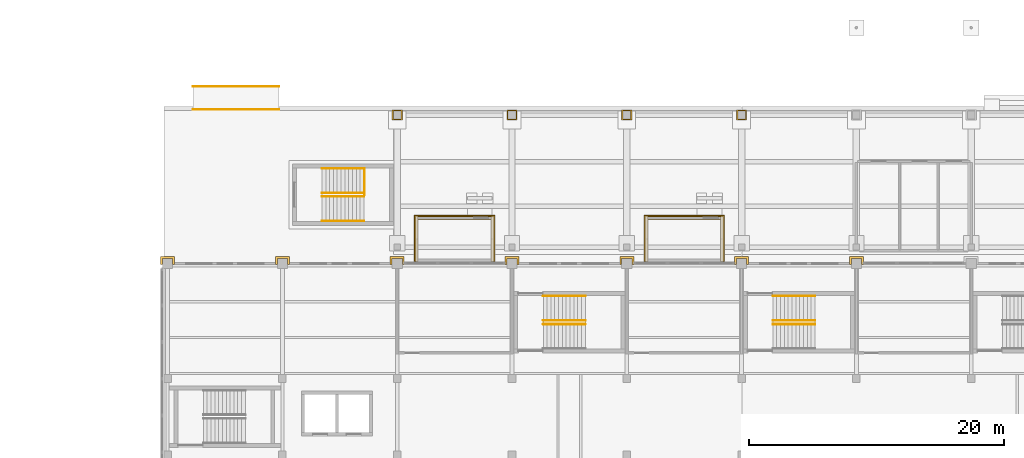
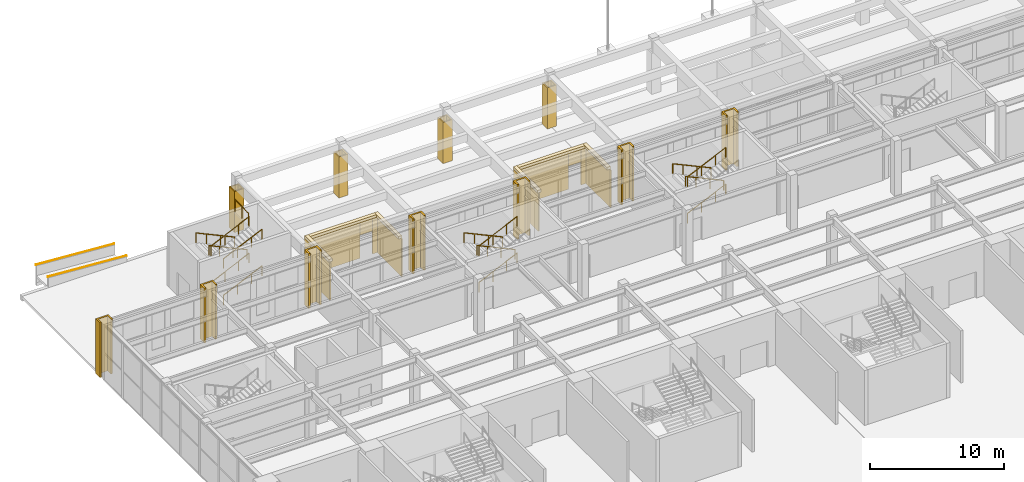
# One storey, part 71 of 77: 27 coverings, 17 railings.
"""IFC4 building model written with IfcOpenShell, lengths in metres."""

from ifc_helpers import new_model, si_unit, direction, frame, origin, origin_2d, place, context, subcontext, project, spatial, polyline, circle, outline, extrude, material, layer, layer_set, type_object, element, save


model = new_model("IFC4")

# Units and contexts
model_context = context("Model", 3, precision=1e-05, world=origin(), true_north=direction((0.0, 1.0)))
body_context = subcontext(model_context, "Body", "Model", "MODEL_VIEW")
ifc_project = project(units=[si_unit("LENGTHUNIT", "METRE"), si_unit("AREAUNIT", "SQUARE_METRE"), si_unit("VOLUMEUNIT", "CUBIC_METRE"), si_unit("PLANEANGLEUNIT", "RADIAN"), si_unit("MASSUNIT", "GRAM", prefix="KILO")], contexts=[model_context])

# Site, building, storey
site_placement = place(None, origin())
site = spatial("IfcSite", under=ifc_project, at=site_placement, CompositionType="ELEMENT")
building_placement = place(site_placement, origin())
building = spatial("IfcBuilding", under=site, at=building_placement, Name="Aravalli Gate Trade Fair Centre", CompositionType="ELEMENT")
storey_placement = place(building_placement, origin())
storey = spatial("IfcBuildingStorey", under=building, at=storey_placement, Name="L00", CompositionType="ELEMENT", Elevation=0.0)

# Coverings
ifc_material_1 = material(Name="Glazed terracotta", Category="masonry")
ifc_layer_1 = layer(ifc_material_1, 0.10009765625)
ifc_layer_set_1 = layer_set([ifc_layer_1], Name="Glazed terracotta")
covering_type_1 = type_object("IfcCoveringType", Name="Arcade pier casing 100", PredefinedType="CLADDING", material=ifc_layer_set_1)
covering_1_placement = place(storey_placement, origin())
element("IfcCovering", 1, at=covering_1_placement, inside=storey, type_object=covering_type_1, Name="Arcade pier casing 03 L00", PredefinedType="CLADDING", context=body_context, shape_type="SweptSolid", body=[
    extrude(outline(polyline([(23.60009765625, 144.25), (24.39990234375, 144.25), (24.39990234375, 145.050048828125), (23.60009765625, 145.050048828125), (23.60009765625, 144.25)]), holes=[polyline([(24.300048828125, 144.949951171875), (24.300048828125, 144.35009765625), (23.699951171875, 144.35009765625), (23.699951171875, 144.949951171875), (24.300048828125, 144.949951171875)])]), origin(), (0.0, 0.0, 1.0), 3.75),
])
covering_2_placement = place(storey_placement, origin())
element("IfcCovering", 2, at=covering_2_placement, inside=storey, type_object=covering_type_1, Name="Arcade pier casing 04 L00", PredefinedType="CLADDING", context=body_context, shape_type="SweptSolid", body=[
    extrude(outline(polyline([(32.60009765625, 144.25), (33.39990234375, 144.25), (33.39990234375, 145.050048828125), (32.60009765625, 145.050048828125), (32.60009765625, 144.25)]), holes=[polyline([(33.300048828125, 144.949951171875), (33.300048828125, 144.35009765625), (32.699951171875, 144.35009765625), (32.699951171875, 144.949951171875), (33.300048828125, 144.949951171875)])]), origin(), (0.0, 0.0, 1.0), 3.75),
])
covering_3_placement = place(storey_placement, origin())
element("IfcCovering", 3, at=covering_3_placement, inside=storey, type_object=covering_type_1, Name="Arcade pier casing 05 L00", PredefinedType="CLADDING", context=body_context, shape_type="SweptSolid", body=[
    extrude(outline(polyline([(41.60009765625, 144.25), (42.39990234375, 144.25), (42.39990234375, 145.050048828125), (41.60009765625, 145.050048828125), (41.60009765625, 144.25)]), holes=[polyline([(42.300048828125, 144.949951171875), (42.300048828125, 144.35009765625), (41.699951171875, 144.35009765625), (41.699951171875, 144.949951171875), (42.300048828125, 144.949951171875)])]), origin(), (0.0, 0.0, 1.0), 3.75),
])
covering_4_placement = place(storey_placement, origin())
element("IfcCovering", 4, at=covering_4_placement, inside=storey, type_object=covering_type_1, Name="Arcade pier casing 06 L00", PredefinedType="CLADDING", context=body_context, shape_type="SweptSolid", body=[
    extrude(outline(polyline([(50.60009765625, 144.25), (51.39990234375, 144.25), (51.39990234375, 145.050048828125), (50.60009765625, 145.050048828125), (50.60009765625, 144.25)]), holes=[polyline([(51.300048828125, 144.949951171875), (51.300048828125, 144.35009765625), (50.699951171875, 144.35009765625), (50.699951171875, 144.949951171875), (51.300048828125, 144.949951171875)])]), origin(), (0.0, 0.0, 1.0), 3.75),
])

# Railings
ifc_material_2 = material(Name="Steel E350", Category="steel")
railing_type_1 = type_object("IfcRailingType", Name="Concourse guard 1100", PredefinedType="GUARDRAIL", material=ifc_material_2)
railing_1_placement = place(storey_placement, frame((21.449951171875, 138.39990234375, 5.0)))
element("IfcRailing", 5, at=railing_1_placement, inside=storey, type_object=railing_type_1, Name="Guard AS L00 landing edge", PredefinedType="GUARDRAIL", context=body_context, shape_type="SweptSolid", body=[
    extrude(circle(Radius=0.02392578125, at=origin_2d()), frame((0.0, 0.0, 1.076171875), z_axis=(0.0, 1.0, 0.0), x_axis=(-1.0, 0.0, 0.0)), (0.0, 0.0, 1.0), 2.050048828125),
    extrude(circle(Radius=0.02099609375, at=origin_2d()), origin(), (0.0, 0.0, 1.0), 1.052001953125),
    extrude(circle(Radius=0.02099609375, at=origin_2d()), frame((0.0, 1.02490234375, 0.0)), (0.0, 0.0, 1.0), 1.052001953125),
    extrude(circle(Radius=0.02099609375, at=origin_2d()), frame((0.0, 2.050048828125, 0.0)), (0.0, 0.0, 1.0), 1.052001953125),
])
railing_type_2 = type_object("IfcRailingType", Name="Concourse plaza ramp handrail 900", PredefinedType="HANDRAIL", material=ifc_material_2)
for number, where, name in (
    (6, (8.0, 145.10009765625, 0.89990234375), "Plaza ramp 1 handrail a"),
    (7, (8.0, 146.89990234375, 0.89990234375), "Plaza ramp 1 handrail b"),
):
    element("IfcRailing", number, at=place(storey_placement, frame(where)), inside=storey, type_object=railing_type_2, Name=name, PredefinedType="HANDRAIL", context=body_context, shape_type="SweptSolid", body=[
        extrude(circle(Radius=0.02001953125, at=origin_2d()), frame((0.0, 0.0, 0.0400390625), z_axis=(0.997785636887, 0.0, -0.066511824681), x_axis=(0.0, 1.0, 0.0)), (0.0, 0.0, 1.0), 6.764892578125),
        extrude(circle(Radius=0.02099609375, at=origin_2d()), origin(), (0.0, 0.0, 1.0), 0.02001953125),
        extrude(circle(Radius=0.02099609375, at=origin_2d()), frame((6.75, 0.0, -0.449951171875)), (0.0, 0.0, 1.0), 0.02001953125),
    ])
railing_type_3 = type_object("IfcRailingType", Name="Concourse stair handrail 900", PredefinedType="HANDRAIL", material=ifc_material_2)
railing_2_placement = place(storey_placement, frame((35.449951171875, 128.25, 0.138916015625)))
element("IfcRailing", 8, at=railing_2_placement, inside=storey, type_object=railing_type_3, Name="Handrail XA L00 flight 1i", PredefinedType="HANDRAIL", context=body_context, shape_type="SweptSolid", body=[
    extrude(circle(Radius=0.02392578125, at=origin_2d()), frame((0.0, 0.0, 0.8759765625), z_axis=(0.907499493834, 0.0, 0.420053173647), x_axis=(0.0, 1.0, 0.0)), (0.0, 0.0, 1.0), 1.322265625),
    extrude(circle(Radius=0.02392578125, at=origin_2d()), frame((1.199951171875, 0.0, 1.43115234375), z_axis=(0.907461694017, 0.0, 0.420134828231), x_axis=(0.0, 1.0, 0.0)), (0.0, 0.0, 1.0), 1.322509765625),
    extrude(circle(Radius=0.02392578125, at=origin_2d()), frame((2.400146484375, 0.0, 1.98681640625), z_axis=(0.907418235185, 0.0, 0.420228683522), x_axis=(0.0, 1.0, 0.0)), (0.0, 0.0, 1.0), 0.99169921875),
    extrude(circle(Radius=0.02099609375, at=origin_2d()), origin(), (0.0, 0.0, 1.0), 0.851806640625),
    extrude(circle(Radius=0.02099609375, at=origin_2d()), frame((1.199951171875, 0.0, 0.555419921875)), (0.0, 0.0, 1.0), 0.851806640625),
    extrude(circle(Radius=0.02099609375, at=origin_2d()), frame((2.400146484375, 0.0, 1.111083984375)), (0.0, 0.0, 1.0), 0.851806640625),
    extrude(circle(Radius=0.02099609375, at=origin_2d()), frame((3.300048828125, 0.0, 1.52783203125)), (0.0, 0.0, 1.0), 0.851806640625),
])
for number, where, name in (
    (9, (38.75, 130.449951171875, 1.8056640625), "Handrail XA L00 flight 2o"),
    (10, (38.75, 128.550048828125, 1.8056640625), "Handrail XA L00 flight 2i"),
):
    element("IfcRailing", number, at=place(storey_placement, frame(where)), inside=storey, type_object=railing_type_3, Name=name, PredefinedType="HANDRAIL", context=body_context, shape_type="SweptSolid", body=[
        extrude(circle(Radius=0.02392578125, at=origin_2d()), frame((0.0, 0.0, 0.8759765625), z_axis=(-0.907499493834, 0.0, 0.420053173647), x_axis=(0.0, -1.0, 0.0)), (0.0, 0.0, 1.0), 1.322265625),
        extrude(circle(Radius=0.02392578125, at=origin_2d()), frame((-1.199951171875, 0.0, 1.43115234375), z_axis=(-0.907429102623, 0.0, 0.420205216189), x_axis=(0.0, -1.0, 0.0)), (0.0, 0.0, 1.0), 1.322265625),
        extrude(circle(Radius=0.02392578125, at=origin_2d()), frame((-2.39990234375, 0.0, 1.98681640625), z_axis=(-0.907555517655, 0.0, 0.419932116387), x_axis=(0.0, -1.0, 0.0)), (0.0, 0.0, 1.0), 0.991943359375),
        extrude(circle(Radius=0.02099609375, at=origin_2d()), origin(), (0.0, 0.0, 1.0), 0.851806640625),
        extrude(circle(Radius=0.02099609375, at=origin_2d()), frame((-1.199951171875, 0.0, 0.555419921875)), (0.0, 0.0, 1.0), 0.851806640625),
        extrude(circle(Radius=0.02099609375, at=origin_2d()), frame((-2.39990234375, 0.0, 1.111083984375)), (0.0, 0.0, 1.0), 0.851806640625),
        extrude(circle(Radius=0.02099609375, at=origin_2d()), frame((-3.300048828125, 0.0, 1.527587890625)), (0.0, 0.0, 1.0), 0.851806640625),
    ])
railing_3_placement = place(storey_placement, frame((35.449951171875, 128.25, 3.47216796875)))
element("IfcRailing", 11, at=railing_3_placement, inside=storey, type_object=railing_type_3, Name="Handrail XA L00 flight 3i", PredefinedType="HANDRAIL", context=body_context, shape_type="SweptSolid", body=[
    extrude(circle(Radius=0.02392578125, at=origin_2d()), frame((0.0, 0.0, 0.8759765625), z_axis=(0.907429102623, 0.0, 0.420205216189), x_axis=(0.0, 1.0, 0.0)), (0.0, 0.0, 1.0), 1.322265625),
    extrude(circle(Radius=0.02392578125, at=origin_2d()), frame((1.199951171875, 0.0, 1.431640625), z_axis=(0.907532064172, 0.0, 0.419982800242), x_axis=(0.0, 1.0, 0.0)), (0.0, 0.0, 1.0), 1.322509765625),
    extrude(circle(Radius=0.02392578125, at=origin_2d()), frame((2.400146484375, 0.0, 1.98681640625), z_axis=(0.907418235185, 0.0, 0.420228683522), x_axis=(0.0, 1.0, 0.0)), (0.0, 0.0, 1.0), 0.99169921875),
    extrude(circle(Radius=0.02099609375, at=origin_2d()), origin(), (0.0, 0.0, 1.0), 0.851806640625),
    extrude(circle(Radius=0.02099609375, at=origin_2d()), frame((1.199951171875, 0.0, 0.5556640625)), (0.0, 0.0, 1.0), 0.851806640625),
    extrude(circle(Radius=0.02099609375, at=origin_2d()), frame((2.400146484375, 0.0, 1.111083984375)), (0.0, 0.0, 1.0), 0.851806640625),
    extrude(circle(Radius=0.02099609375, at=origin_2d()), frame((3.300048828125, 0.0, 1.52783203125)), (0.0, 0.0, 1.0), 0.851806640625),
])
railing_4_placement = place(storey_placement, frame((53.449951171875, 128.25, 0.138916015625)))
element("IfcRailing", 12, at=railing_4_placement, inside=storey, type_object=railing_type_3, Name="Handrail XB L00 flight 1i", PredefinedType="HANDRAIL", context=body_context, shape_type="SweptSolid", body=[
    extrude(circle(Radius=0.02392578125, at=origin_2d()), frame((0.0, 0.0, 0.8759765625), z_axis=(0.907499493834, 0.0, 0.420053173647), x_axis=(0.0, 1.0, 0.0)), (0.0, 0.0, 1.0), 1.322265625),
    extrude(circle(Radius=0.02392578125, at=origin_2d()), frame((1.199951171875, 0.0, 1.43115234375), z_axis=(0.907461694017, 0.0, 0.420134828231), x_axis=(0.0, 1.0, 0.0)), (0.0, 0.0, 1.0), 1.322509765625),
    extrude(circle(Radius=0.02392578125, at=origin_2d()), frame((2.400146484375, 0.0, 1.98681640625), z_axis=(0.907418235185, 0.0, 0.420228683522), x_axis=(0.0, 1.0, 0.0)), (0.0, 0.0, 1.0), 0.99169921875),
    extrude(circle(Radius=0.02099609375, at=origin_2d()), origin(), (0.0, 0.0, 1.0), 0.851806640625),
    extrude(circle(Radius=0.02099609375, at=origin_2d()), frame((1.199951171875, 0.0, 0.555419921875)), (0.0, 0.0, 1.0), 0.851806640625),
    extrude(circle(Radius=0.02099609375, at=origin_2d()), frame((2.400146484375, 0.0, 1.111083984375)), (0.0, 0.0, 1.0), 0.851806640625),
    extrude(circle(Radius=0.02099609375, at=origin_2d()), frame((3.300048828125, 0.0, 1.52783203125)), (0.0, 0.0, 1.0), 0.851806640625),
])
for number, where, name in (
    (13, (56.75, 130.449951171875, 1.8056640625), "Handrail XB L00 flight 2o"),
    (14, (56.75, 128.550048828125, 1.8056640625), "Handrail XB L00 flight 2i"),
):
    element("IfcRailing", number, at=place(storey_placement, frame(where)), inside=storey, type_object=railing_type_3, Name=name, PredefinedType="HANDRAIL", context=body_context, shape_type="SweptSolid", body=[
        extrude(circle(Radius=0.02392578125, at=origin_2d()), frame((0.0, 0.0, 0.8759765625), z_axis=(-0.907499493834, 0.0, 0.420053173647), x_axis=(0.0, -1.0, 0.0)), (0.0, 0.0, 1.0), 1.322265625),
        extrude(circle(Radius=0.02392578125, at=origin_2d()), frame((-1.199951171875, 0.0, 1.43115234375), z_axis=(-0.907429102623, 0.0, 0.420205216189), x_axis=(0.0, -1.0, 0.0)), (0.0, 0.0, 1.0), 1.322265625),
        extrude(circle(Radius=0.02392578125, at=origin_2d()), frame((-2.39990234375, 0.0, 1.98681640625), z_axis=(-0.907555517655, 0.0, 0.419932116387), x_axis=(0.0, -1.0, 0.0)), (0.0, 0.0, 1.0), 0.991943359375),
        extrude(circle(Radius=0.02099609375, at=origin_2d()), origin(), (0.0, 0.0, 1.0), 0.851806640625),
        extrude(circle(Radius=0.02099609375, at=origin_2d()), frame((-1.199951171875, 0.0, 0.555419921875)), (0.0, 0.0, 1.0), 0.851806640625),
        extrude(circle(Radius=0.02099609375, at=origin_2d()), frame((-2.39990234375, 0.0, 1.111083984375)), (0.0, 0.0, 1.0), 0.851806640625),
        extrude(circle(Radius=0.02099609375, at=origin_2d()), frame((-3.300048828125, 0.0, 1.527587890625)), (0.0, 0.0, 1.0), 0.851806640625),
    ])
railing_5_placement = place(storey_placement, frame((53.449951171875, 128.25, 3.47216796875)))
element("IfcRailing", 15, at=railing_5_placement, inside=storey, type_object=railing_type_3, Name="Handrail XB L00 flight 3i", PredefinedType="HANDRAIL", context=body_context, shape_type="SweptSolid", body=[
    extrude(circle(Radius=0.02392578125, at=origin_2d()), frame((0.0, 0.0, 0.8759765625), z_axis=(0.907429102623, 0.0, 0.420205216189), x_axis=(0.0, 1.0, 0.0)), (0.0, 0.0, 1.0), 1.322265625),
    extrude(circle(Radius=0.02392578125, at=origin_2d()), frame((1.199951171875, 0.0, 1.431640625), z_axis=(0.907532064172, 0.0, 0.419982800242), x_axis=(0.0, 1.0, 0.0)), (0.0, 0.0, 1.0), 1.322509765625),
    extrude(circle(Radius=0.02392578125, at=origin_2d()), frame((2.400146484375, 0.0, 1.98681640625), z_axis=(0.907418235185, 0.0, 0.420228683522), x_axis=(0.0, 1.0, 0.0)), (0.0, 0.0, 1.0), 0.99169921875),
    extrude(circle(Radius=0.02099609375, at=origin_2d()), origin(), (0.0, 0.0, 1.0), 0.851806640625),
    extrude(circle(Radius=0.02099609375, at=origin_2d()), frame((1.199951171875, 0.0, 0.5556640625)), (0.0, 0.0, 1.0), 0.851806640625),
    extrude(circle(Radius=0.02099609375, at=origin_2d()), frame((2.400146484375, 0.0, 1.111083984375)), (0.0, 0.0, 1.0), 0.851806640625),
    extrude(circle(Radius=0.02099609375, at=origin_2d()), frame((3.300048828125, 0.0, 1.52783203125)), (0.0, 0.0, 1.0), 0.851806640625),
])
for number, where, name in (
    (16, (18.10009765625, 136.35009765625, 0.138916015625), "Handrail AS L00 flight 1o"),
    (17, (18.10009765625, 138.25, 0.138916015625), "Handrail AS L00 flight 1i"),
):
    element("IfcRailing", number, at=place(storey_placement, frame(where)), inside=storey, type_object=railing_type_3, Name=name, PredefinedType="HANDRAIL", context=body_context, shape_type="SweptSolid", body=[
        extrude(circle(Radius=0.02392578125, at=origin_2d()), frame((0.0, 0.0, 0.8759765625), z_axis=(0.907499493834, 0.0, 0.420053173647), x_axis=(0.0, 1.0, 0.0)), (0.0, 0.0, 1.0), 1.322265625),
        extrude(circle(Radius=0.02392578125, at=origin_2d()), frame((1.199951171875, 0.0, 1.43115234375), z_axis=(0.907429102623, 0.0, 0.420205216189), x_axis=(0.0, 1.0, 0.0)), (0.0, 0.0, 1.0), 1.322265625),
        extrude(circle(Radius=0.02392578125, at=origin_2d()), frame((2.39990234375, 0.0, 1.98681640625), z_axis=(0.907418235185, 0.0, 0.420228683522), x_axis=(0.0, 1.0, 0.0)), (0.0, 0.0, 1.0), 0.99169921875),
        extrude(circle(Radius=0.02099609375, at=origin_2d()), origin(), (0.0, 0.0, 1.0), 0.851806640625),
        extrude(circle(Radius=0.02099609375, at=origin_2d()), frame((1.199951171875, 0.0, 0.555419921875)), (0.0, 0.0, 1.0), 0.851806640625),
        extrude(circle(Radius=0.02099609375, at=origin_2d()), frame((2.39990234375, 0.0, 1.111083984375)), (0.0, 0.0, 1.0), 0.851806640625),
        extrude(circle(Radius=0.02099609375, at=origin_2d()), frame((3.2998046875, 0.0, 1.52783203125)), (0.0, 0.0, 1.0), 0.851806640625),
    ])
for number, where, name in (
    (18, (21.39990234375, 140.449951171875, 1.8056640625), "Handrail AS L00 flight 2o"),
    (19, (21.39990234375, 138.550048828125, 1.8056640625), "Handrail AS L00 flight 2i"),
):
    element("IfcRailing", number, at=place(storey_placement, frame(where)), inside=storey, type_object=railing_type_3, Name=name, PredefinedType="HANDRAIL", context=body_context, shape_type="SweptSolid", body=[
        extrude(circle(Radius=0.02392578125, at=origin_2d()), frame((0.0, 0.0, 0.8759765625), z_axis=(-0.907499493834, 0.0, 0.420053173647), x_axis=(0.0, -1.0, 0.0)), (0.0, 0.0, 1.0), 1.322265625),
        extrude(circle(Radius=0.02392578125, at=origin_2d()), frame((-1.199951171875, 0.0, 1.43115234375), z_axis=(-0.907429102623, 0.0, 0.420205216189), x_axis=(0.0, -1.0, 0.0)), (0.0, 0.0, 1.0), 1.322265625),
        extrude(circle(Radius=0.02392578125, at=origin_2d()), frame((-2.39990234375, 0.0, 1.98681640625), z_axis=(-0.907512096258, 0.0, 0.420025945799), x_axis=(0.0, -1.0, 0.0)), (0.0, 0.0, 1.0), 0.99169921875),
        extrude(circle(Radius=0.02099609375, at=origin_2d()), origin(), (0.0, 0.0, 1.0), 0.851806640625),
        extrude(circle(Radius=0.02099609375, at=origin_2d()), frame((-1.199951171875, 0.0, 0.555419921875)), (0.0, 0.0, 1.0), 0.851806640625),
        extrude(circle(Radius=0.02099609375, at=origin_2d()), frame((-2.39990234375, 0.0, 1.111083984375)), (0.0, 0.0, 1.0), 0.851806640625),
        extrude(circle(Radius=0.02099609375, at=origin_2d()), frame((-3.2998046875, 0.0, 1.527587890625)), (0.0, 0.0, 1.0), 0.851806640625),
    ])
for number, where, name in (
    (20, (18.10009765625, 136.35009765625, 3.47216796875), "Handrail AS L00 flight 3o"),
    (21, (18.10009765625, 138.25, 3.47216796875), "Handrail AS L00 flight 3i"),
):
    element("IfcRailing", number, at=place(storey_placement, frame(where)), inside=storey, type_object=railing_type_3, Name=name, PredefinedType="HANDRAIL", context=body_context, shape_type="SweptSolid", body=[
        extrude(circle(Radius=0.02392578125, at=origin_2d()), frame((0.0, 0.0, 0.8759765625), z_axis=(0.907429102623, 0.0, 0.420205216189), x_axis=(0.0, 1.0, 0.0)), (0.0, 0.0, 1.0), 1.322265625),
        extrude(circle(Radius=0.02392578125, at=origin_2d()), frame((1.199951171875, 0.0, 1.431640625), z_axis=(0.907499493834, 0.0, 0.420053173647), x_axis=(0.0, 1.0, 0.0)), (0.0, 0.0, 1.0), 1.322265625),
        extrude(circle(Radius=0.02392578125, at=origin_2d()), frame((2.39990234375, 0.0, 1.98681640625), z_axis=(0.907418235185, 0.0, 0.420228683522), x_axis=(0.0, 1.0, 0.0)), (0.0, 0.0, 1.0), 0.99169921875),
        extrude(circle(Radius=0.02099609375, at=origin_2d()), origin(), (0.0, 0.0, 1.0), 0.851806640625),
        extrude(circle(Radius=0.02099609375, at=origin_2d()), frame((1.199951171875, 0.0, 0.5556640625)), (0.0, 0.0, 1.0), 0.851806640625),
        extrude(circle(Radius=0.02099609375, at=origin_2d()), frame((2.39990234375, 0.0, 1.111083984375)), (0.0, 0.0, 1.0), 0.851806640625),
        extrude(circle(Radius=0.02099609375, at=origin_2d()), frame((3.2998046875, 0.0, 1.52783203125)), (0.0, 0.0, 1.0), 0.851806640625),
    ])

# Coverings
ifc_material_3 = material(Name="Terracotta rainscreen", Category="masonry")
ifc_layer_2 = layer(ifc_material_3, 0.199951171875)
ifc_layer_set_2 = layer_set([ifc_layer_2], Name="Terracotta rainscreen")
covering_type_2 = type_object("IfcCoveringType", Name="Pavilion cornice course 250", PredefinedType="CLADDING", material=ifc_layer_set_2)
covering_5_placement = place(storey_placement, frame((0.0, 0.0, 3.39990234375)))
element("IfcCovering", 22, at=covering_5_placement, inside=storey, type_object=covering_type_2, Name="Basement stair N1 cornice west", PredefinedType="CLADDING", context=body_context, shape_type="SweptSolid", body=[
    extrude(outline(polyline([(31.64990234375, 133.179931640625), (31.35009765625, 133.179931640625), (31.35009765625, 136.780029296875), (31.64990234375, 136.780029296875), (31.64990234375, 133.179931640625)])), origin(), (0.0, 0.0, 1.0), 0.25),
])
covering_6_placement = place(storey_placement, frame((0.0, 0.0, 3.39990234375)))
element("IfcCovering", 23, at=covering_6_placement, inside=storey, type_object=covering_type_2, Name="Basement stair N1 cornice east", PredefinedType="CLADDING", context=body_context, shape_type="SweptSolid", body=[
    extrude(outline(polyline([(25.64990234375, 133.179931640625), (25.35009765625, 133.179931640625), (25.35009765625, 136.780029296875), (25.64990234375, 136.780029296875), (25.64990234375, 133.179931640625)])), origin(), (0.0, 0.0, 1.0), 0.25),
])
covering_7_placement = place(storey_placement, frame((0.0, 0.0, 3.39990234375)))
element("IfcCovering", 24, at=covering_7_placement, inside=storey, type_object=covering_type_2, Name="Basement stair N1 cornice north", PredefinedType="CLADDING", context=body_context, shape_type="SweptSolid", body=[
    extrude(outline(polyline([(31.35009765625, 136.47998046875), (25.64990234375, 136.47998046875), (25.64990234375, 136.780029296875), (31.35009765625, 136.780029296875), (31.35009765625, 136.47998046875)])), origin(), (0.0, 0.0, 1.0), 0.25),
])
covering_8_placement = place(storey_placement, frame((0.0, 0.0, 3.39990234375)))
element("IfcCovering", 25, at=covering_8_placement, inside=storey, type_object=covering_type_2, Name="Basement stair N2 cornice west", PredefinedType="CLADDING", context=body_context, shape_type="SweptSolid", body=[
    extrude(outline(polyline([(49.64990234375, 133.179931640625), (49.35009765625, 133.179931640625), (49.35009765625, 136.780029296875), (49.64990234375, 136.780029296875), (49.64990234375, 133.179931640625)])), origin(), (0.0, 0.0, 1.0), 0.25),
])
covering_9_placement = place(storey_placement, frame((0.0, 0.0, 3.39990234375)))
element("IfcCovering", 26, at=covering_9_placement, inside=storey, type_object=covering_type_2, Name="Basement stair N2 cornice east", PredefinedType="CLADDING", context=body_context, shape_type="SweptSolid", body=[
    extrude(outline(polyline([(43.64990234375, 133.179931640625), (43.35009765625, 133.179931640625), (43.35009765625, 136.780029296875), (43.64990234375, 136.780029296875), (43.64990234375, 133.179931640625)])), origin(), (0.0, 0.0, 1.0), 0.25),
])
covering_10_placement = place(storey_placement, frame((0.0, 0.0, 3.39990234375)))
element("IfcCovering", 27, at=covering_10_placement, inside=storey, type_object=covering_type_2, Name="Basement stair N2 cornice north", PredefinedType="CLADDING", context=body_context, shape_type="SweptSolid", body=[
    extrude(outline(polyline([(49.35009765625, 136.47998046875), (43.64990234375, 136.47998046875), (43.64990234375, 136.780029296875), (49.35009765625, 136.780029296875), (49.35009765625, 136.47998046875)])), origin(), (0.0, 0.0, 1.0), 0.25),
])
ifc_layer_3 = layer(ifc_material_3, 0.10009765625)
ifc_layer_set_3 = layer_set([ifc_layer_3], Name="Terracotta rainscreen")
covering_type_3 = type_object("IfcCoveringType", Name="Pavilion rainscreen cladding 100", PredefinedType="CLADDING", material=ifc_layer_set_3)
covering_11_placement = place(storey_placement, origin())
element("IfcCovering", 28, at=covering_11_placement, inside=storey, type_object=covering_type_3, Name="Basement stair N1 cladding left of the door", PredefinedType="CLADDING", context=body_context, shape_type="SweptSolid", body=[
    extrude(outline(polyline([(31.550048828125, 136.679931640625), (31.14990234375, 136.679931640625), (31.14990234375, 136.780029296875), (31.550048828125, 136.780029296875), (31.550048828125, 136.679931640625)])), origin(), (0.0, 0.0, 1.0), 3.39990234375),
])
covering_12_placement = place(storey_placement, origin())
element("IfcCovering", 29, at=covering_12_placement, inside=storey, type_object=covering_type_3, Name="Basement stair N1 cladding right of the door", PredefinedType="CLADDING", context=body_context, shape_type="SweptSolid", body=[
    extrude(outline(polyline([(30.050048828125, 136.679931640625), (25.449951171875, 136.679931640625), (25.449951171875, 136.780029296875), (30.050048828125, 136.780029296875), (30.050048828125, 136.679931640625)])), origin(), (0.0, 0.0, 1.0), 3.39990234375),
])
covering_13_placement = place(storey_placement, frame((0.0, 0.0, 2.10009765625)))
element("IfcCovering", 30, at=covering_13_placement, inside=storey, type_object=covering_type_3, Name="Basement stair N1 cladding over the door", PredefinedType="CLADDING", context=body_context, shape_type="SweptSolid", body=[
    extrude(outline(polyline([(31.14990234375, 136.679931640625), (30.050048828125, 136.679931640625), (30.050048828125, 136.780029296875), (31.14990234375, 136.780029296875), (31.14990234375, 136.679931640625)])), origin(), (0.0, 0.0, 1.0), 1.2998046875),
])
covering_14_placement = place(storey_placement, origin())
element("IfcCovering", 31, at=covering_14_placement, inside=storey, type_object=covering_type_3, Name="Basement stair N1 cladding west end", PredefinedType="CLADDING", context=body_context, shape_type="SweptSolid", body=[
    extrude(outline(polyline([(31.64990234375, 133.05908203125), (31.550048828125, 133.05908203125), (31.550048828125, 136.780029296875), (31.64990234375, 136.780029296875), (31.64990234375, 133.05908203125)])), origin(), (0.0, 0.0, 1.0), 3.39990234375),
])
covering_15_placement = place(storey_placement, origin())
element("IfcCovering", 32, at=covering_15_placement, inside=storey, type_object=covering_type_3, Name="Basement stair N1 cladding east end", PredefinedType="CLADDING", context=body_context, shape_type="SweptSolid", body=[
    extrude(outline(polyline([(25.449951171875, 133.05908203125), (25.35009765625, 133.05908203125), (25.35009765625, 136.780029296875), (25.449951171875, 136.780029296875), (25.449951171875, 133.05908203125)])), origin(), (0.0, 0.0, 1.0), 3.39990234375),
])
covering_16_placement = place(storey_placement, origin())
element("IfcCovering", 33, at=covering_16_placement, inside=storey, type_object=covering_type_3, Name="Basement stair N2 cladding left of the door", PredefinedType="CLADDING", context=body_context, shape_type="SweptSolid", body=[
    extrude(outline(polyline([(49.550048828125, 136.679931640625), (49.14990234375, 136.679931640625), (49.14990234375, 136.780029296875), (49.550048828125, 136.780029296875), (49.550048828125, 136.679931640625)])), origin(), (0.0, 0.0, 1.0), 3.39990234375),
])
covering_17_placement = place(storey_placement, origin())
element("IfcCovering", 34, at=covering_17_placement, inside=storey, type_object=covering_type_3, Name="Basement stair N2 cladding right of the door", PredefinedType="CLADDING", context=body_context, shape_type="SweptSolid", body=[
    extrude(outline(polyline([(48.050048828125, 136.679931640625), (43.449951171875, 136.679931640625), (43.449951171875, 136.780029296875), (48.050048828125, 136.780029296875), (48.050048828125, 136.679931640625)])), origin(), (0.0, 0.0, 1.0), 3.39990234375),
])
covering_18_placement = place(storey_placement, frame((0.0, 0.0, 2.10009765625)))
element("IfcCovering", 35, at=covering_18_placement, inside=storey, type_object=covering_type_3, Name="Basement stair N2 cladding over the door", PredefinedType="CLADDING", context=body_context, shape_type="SweptSolid", body=[
    extrude(outline(polyline([(49.14990234375, 136.679931640625), (48.050048828125, 136.679931640625), (48.050048828125, 136.780029296875), (49.14990234375, 136.780029296875), (49.14990234375, 136.679931640625)])), origin(), (0.0, 0.0, 1.0), 1.2998046875),
])
covering_19_placement = place(storey_placement, origin())
element("IfcCovering", 36, at=covering_19_placement, inside=storey, type_object=covering_type_3, Name="Basement stair N2 cladding west end", PredefinedType="CLADDING", context=body_context, shape_type="SweptSolid", body=[
    extrude(outline(polyline([(49.64990234375, 133.05908203125), (49.550048828125, 133.05908203125), (49.550048828125, 136.780029296875), (49.64990234375, 136.780029296875), (49.64990234375, 133.05908203125)])), origin(), (0.0, 0.0, 1.0), 3.39990234375),
])
covering_20_placement = place(storey_placement, origin())
element("IfcCovering", 37, at=covering_20_placement, inside=storey, type_object=covering_type_3, Name="Basement stair N2 cladding east end", PredefinedType="CLADDING", context=body_context, shape_type="SweptSolid", body=[
    extrude(outline(polyline([(43.449951171875, 133.05908203125), (43.35009765625, 133.05908203125), (43.35009765625, 136.780029296875), (43.449951171875, 136.780029296875), (43.449951171875, 133.05908203125)])), origin(), (0.0, 0.0, 1.0), 3.39990234375),
])
ifc_layer_4 = layer(ifc_material_1, 0.14990234375)
ifc_layer_set_4 = layer_set([ifc_layer_4], Name="Glazed terracotta")
covering_type_4 = type_object("IfcCoveringType", Name="Terracotta pier casing 150", PredefinedType="CLADDING", material=ifc_layer_set_4)
covering_21_placement = place(storey_placement, origin())
element("IfcCovering", 38, at=covering_21_placement, inside=storey, type_object=covering_type_4, Name="Pier casing K01 L00", PredefinedType="CLADDING", context=body_context, shape_type="SweptSolid", body=[
    extrude(outline(polyline([(5.449951171875, 132.919921875), (5.60009765625, 132.919921875), (5.60009765625, 133.39990234375), (6.39990234375, 133.39990234375), (6.39990234375, 132.919921875), (6.550048828125, 132.919921875), (6.550048828125, 133.550048828125), (5.449951171875, 133.550048828125), (5.449951171875, 132.919921875)])), origin(), (0.0, 0.0, 1.0), 5.0),
])
covering_22_placement = place(storey_placement, origin())
element("IfcCovering", 39, at=covering_22_placement, inside=storey, type_object=covering_type_4, Name="Pier casing K02 L00", PredefinedType="CLADDING", context=body_context, shape_type="SweptSolid", body=[
    extrude(outline(polyline([(14.449951171875, 132.919921875), (14.60009765625, 132.919921875), (14.60009765625, 133.39990234375), (15.39990234375, 133.39990234375), (15.39990234375, 132.919921875), (15.550048828125, 132.919921875), (15.550048828125, 133.550048828125), (14.449951171875, 133.550048828125), (14.449951171875, 132.919921875)])), origin(), (0.0, 0.0, 1.0), 5.0),
])
covering_23_placement = place(storey_placement, origin())
element("IfcCovering", 40, at=covering_23_placement, inside=storey, type_object=covering_type_4, Name="Pier casing K03 L00", PredefinedType="CLADDING", context=body_context, shape_type="SweptSolid", body=[
    extrude(outline(polyline([(23.449951171875, 132.919921875), (23.60009765625, 132.919921875), (23.60009765625, 133.39990234375), (24.39990234375, 133.39990234375), (24.39990234375, 132.919921875), (24.550048828125, 132.919921875), (24.550048828125, 133.550048828125), (23.449951171875, 133.550048828125), (23.449951171875, 132.919921875)])), origin(), (0.0, 0.0, 1.0), 5.0),
])
covering_24_placement = place(storey_placement, origin())
element("IfcCovering", 41, at=covering_24_placement, inside=storey, type_object=covering_type_4, Name="Pier casing K04 L00", PredefinedType="CLADDING", context=body_context, shape_type="SweptSolid", body=[
    extrude(outline(polyline([(32.449951171875, 132.919921875), (32.60009765625, 132.919921875), (32.60009765625, 133.39990234375), (33.39990234375, 133.39990234375), (33.39990234375, 132.919921875), (33.550048828125, 132.919921875), (33.550048828125, 133.550048828125), (32.449951171875, 133.550048828125), (32.449951171875, 132.919921875)])), origin(), (0.0, 0.0, 1.0), 5.0),
])
covering_25_placement = place(storey_placement, origin())
element("IfcCovering", 42, at=covering_25_placement, inside=storey, type_object=covering_type_4, Name="Pier casing K05 L00", PredefinedType="CLADDING", context=body_context, shape_type="SweptSolid", body=[
    extrude(outline(polyline([(41.449951171875, 132.919921875), (41.60009765625, 132.919921875), (41.60009765625, 133.39990234375), (42.39990234375, 133.39990234375), (42.39990234375, 132.919921875), (42.550048828125, 132.919921875), (42.550048828125, 133.550048828125), (41.449951171875, 133.550048828125), (41.449951171875, 132.919921875)])), origin(), (0.0, 0.0, 1.0), 5.0),
])
covering_26_placement = place(storey_placement, origin())
element("IfcCovering", 43, at=covering_26_placement, inside=storey, type_object=covering_type_4, Name="Pier casing K06 L00", PredefinedType="CLADDING", context=body_context, shape_type="SweptSolid", body=[
    extrude(outline(polyline([(50.449951171875, 132.919921875), (50.60009765625, 132.919921875), (50.60009765625, 133.39990234375), (51.39990234375, 133.39990234375), (51.39990234375, 132.919921875), (51.550048828125, 132.919921875), (51.550048828125, 133.550048828125), (50.449951171875, 133.550048828125), (50.449951171875, 132.919921875)])), origin(), (0.0, 0.0, 1.0), 5.0),
])
covering_27_placement = place(storey_placement, origin())
element("IfcCovering", 44, at=covering_27_placement, inside=storey, type_object=covering_type_4, Name="Pier casing K07 L00", PredefinedType="CLADDING", context=body_context, shape_type="SweptSolid", body=[
    extrude(outline(polyline([(59.449951171875, 132.919921875), (59.60009765625, 132.919921875), (59.60009765625, 133.39990234375), (60.39990234375, 133.39990234375), (60.39990234375, 132.919921875), (60.550048828125, 132.919921875), (60.550048828125, 133.550048828125), (59.449951171875, 133.550048828125), (59.449951171875, 132.919921875)])), origin(), (0.0, 0.0, 1.0), 5.0),
])

save(model, "model.ifc")
